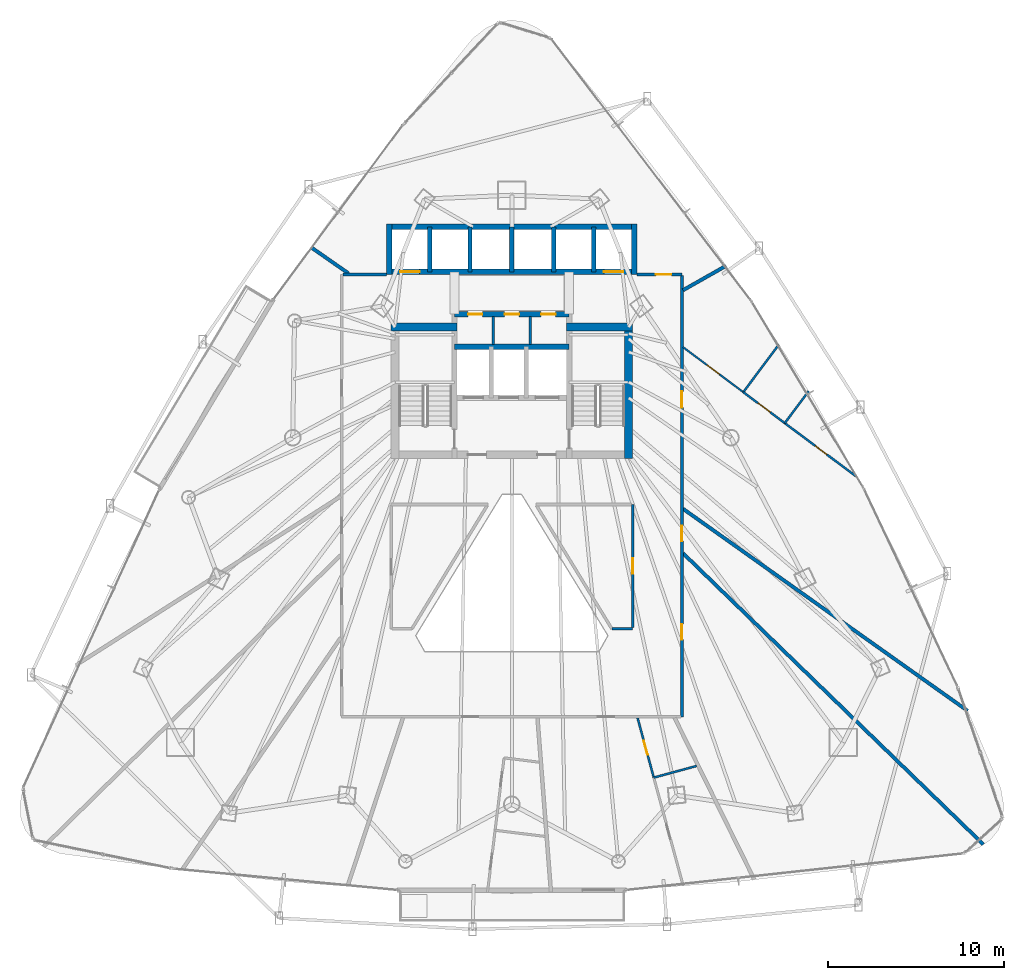
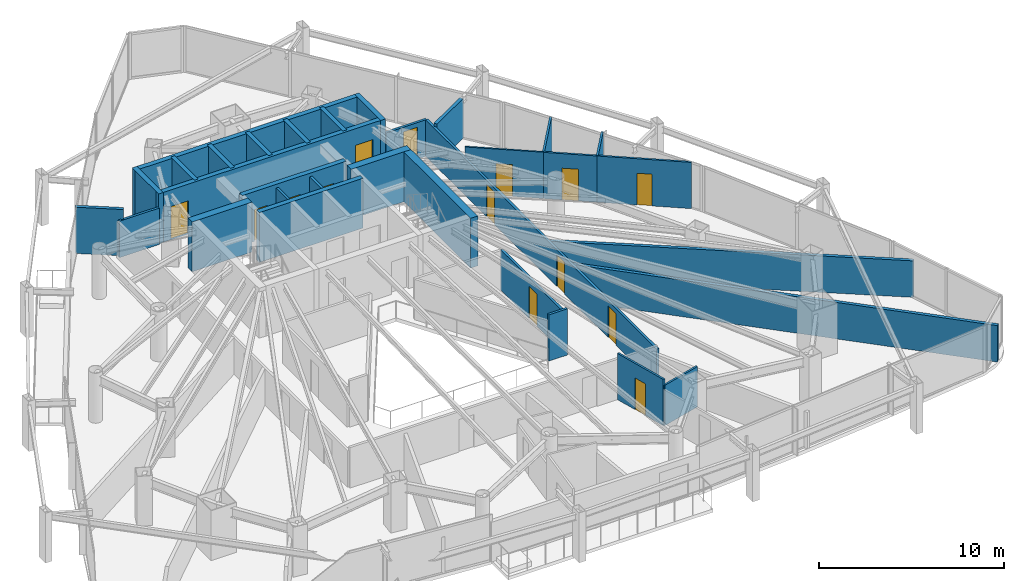
# One storey, part 30 of 34: 32 walls, 14 doors, 14 openings.
"""IFC4 building model written with IfcOpenShell, lengths in metres."""

from ifc_helpers import new_model, si_unit, direction, frame, frame_2d, origin, place, context, subcontext, project, spatial, rectangle, extrude, material, layer, layer_set, type_object, element, fill, save


model = new_model("IFC4")

# Units and contexts
model_context = context("Model", 3, precision=1e-05, world=origin(), true_north=direction((0.0, 1.0)))
body_context = subcontext(model_context, "Body", "Model", "MODEL_VIEW")
ifc_project = project(units=[si_unit("LENGTHUNIT", "METRE"), si_unit("AREAUNIT", "SQUARE_METRE"), si_unit("VOLUMEUNIT", "CUBIC_METRE"), si_unit("PLANEANGLEUNIT", "RADIAN"), si_unit("MASSUNIT", "GRAM", prefix="KILO")], contexts=[model_context])

# Site, building, storey
site_placement = place(None, origin())
site = spatial("IfcSite", under=ifc_project, at=site_placement, CompositionType="ELEMENT")
building_placement = place(site_placement, origin())
building = spatial("IfcBuilding", under=site, at=building_placement, Name="Orvanel Arch Residences", CompositionType="ELEMENT")
storey_placement = place(building_placement, frame((0.0, 0.0, 67.550048828125)))
storey = spatial("IfcBuildingStorey", under=building, at=storey_placement, Name="L18", CompositionType="ELEMENT", Elevation=67.550048828125)

# Walls
ifc_material_1 = material(Name="Concrete N50 (50 MPa)", Category="concrete")
ifc_layer_1 = layer(ifc_material_1, 0.25)
ifc_layer_set_1 = layer_set([ifc_layer_1], Name="Concrete N50 (50 MPa)")
wall_type_1 = type_object("IfcWallType", Name="SW-CORE-250", PredefinedType="SHEAR", material=ifc_layer_set_1)
for number, where, z_axis, x_axis, name in (
    (1, (28.35009765625, 37.050048828125, 0.0), (0.0, 0.0, 1.0), (0.0, 1.0, 0.0), "L18 Passenger Lift Inter-Shaft Wall P13"),
    (2, (30.625, 37.050048828125, 0.0), (0.0, 0.0, 1.0), (0.0, 1.0, 0.0), "L18 Passenger Lift Inter-Shaft Wall P35"),
    (3, (33.0, 37.050048828125, 0.0), (0.0, 0.0, 1.0), (0.0, 1.0, 0.0), "L18 Passenger Lift Inter-Shaft Wall P56"),
    (4, (35.375, 37.050048828125, 0.0), (0.0, 0.0, 1.0), (0.0, 1.0, 0.0), "L18 Passenger Lift Inter-Shaft Wall P64"),
    (5, (37.64990234375, 37.050048828125, 0.0), (0.0, 0.0, 1.0), (0.0, 1.0, 0.0), "L18 Passenger Lift Inter-Shaft Wall P42"),
):
    element("IfcWall", number, at=place(storey_placement, frame(where, z_axis=z_axis, x_axis=x_axis)), inside=storey, type_object=wall_type_1, Name=name, PredefinedType="SHEAR", context=body_context, shape_type="SweptSolid", body=[
        extrude(rectangle(XDim=2.550048828125, YDim=0.25, at=frame_2d((1.27490234375, 0.0))), origin(), (0.0, 0.0, 1.0), 3.300048828125),
    ])
ifc_material_2 = material(Name="Concrete S80 (80 MPa)", Category="concrete")
ifc_layer_2 = layer(ifc_material_2, 0.300048828125)
ifc_layer_set_2 = layer_set([ifc_layer_2], Name="Concrete S80 (80 MPa)")
wall_type_2 = type_object("IfcWallType", Name="SW-CORE-300", PredefinedType="SHEAR", material=ifc_layer_set_2)
wall_1_placement = place(storey_placement, frame((29.75, 32.800048828125, 0.0), z_axis=(0.0, 0.0, 1.0), x_axis=(1.0, 0.0, 0.0)))
element("IfcWall", 6, at=wall_1_placement, inside=storey, type_object=wall_type_2, Name="L18 Emergency Lift Back Core Shear Wall", PredefinedType="SHEAR", context=body_context, shape_type="SweptSolid", body=[
    extrude(rectangle(XDim=6.5, YDim=0.300048828125, at=frame_2d((3.25, 0.0))), origin(), (0.0, 0.0, 1.0), 3.300048828125),
])

# Wall, openings, doors
wall_2_placement = place(storey_placement, frame((29.75, 34.64990234375, 0.0), z_axis=(0.0, 0.0, 1.0), x_axis=(1.0, 0.0, 0.0)))
wall_2 = element("IfcWall", 7, at=wall_2_placement, inside=storey, type_object=wall_type_2, Name="L18 Core Service Band North Shear Wall", PredefinedType="SHEAR", context=body_context, shape_type="SweptSolid", body=[
    extrude(rectangle(XDim=6.5, YDim=0.300048828125, at=frame_2d((3.25, 0.0))), origin(), (0.0, 0.0, 1.0), 3.300048828125),
])
opening_1_placement = place(wall_2_placement, frame((0.764892578125, 0.0, 0.0)))
opening_1 = element("IfcOpeningElement", 8, at=opening_1_placement, cuts=wall_2, Name="Opening DS-082", PredefinedType="OPENING", context=body_context, shape_type="SweptSolid", body=[
    extrude(rectangle(XDim=0.820068359375, YDim=2.10009765625, at=frame_2d((0.41015625, 1.050048828125))), frame((0.0, 0.159912109375, 0.0), z_axis=(0.0, -1.0, 0.0), x_axis=(1.0, 0.0, 0.0)), (0.0, 0.0, 1.0), 0.320068359375),
])
opening_2_placement = place(wall_2_placement, frame((2.840087890625, 0.0, 0.0)))
opening_2 = element("IfcOpeningElement", 9, at=opening_2_placement, cuts=wall_2, Name="Opening DS-082", PredefinedType="OPENING", context=body_context, shape_type="SweptSolid", body=[
    extrude(rectangle(XDim=0.820068359375, YDim=2.10009765625, at=frame_2d((0.41015625, 1.050048828125))), frame((0.0, 0.159912109375, 0.0), z_axis=(0.0, -1.0, 0.0), x_axis=(1.0, 0.0, 0.0)), (0.0, 0.0, 1.0), 0.320068359375),
])
opening_3_placement = place(wall_2_placement, frame((4.9150390625, 0.0, 0.0)))
opening_3 = element("IfcOpeningElement", 10, at=opening_3_placement, cuts=wall_2, Name="Opening DS-082", PredefinedType="OPENING", context=body_context, shape_type="SweptSolid", body=[
    extrude(rectangle(XDim=0.820068359375, YDim=2.10009765625, at=frame_2d((0.41015625, 1.050048828125))), frame((0.0, 0.159912109375, 0.0), z_axis=(0.0, -1.0, 0.0), x_axis=(1.0, 0.0, 0.0)), (0.0, 0.0, 1.0), 0.320068359375),
])
ifc_material_3 = material(Name="Galvanised steel fire-resisting door assembly", Category="steel")
door_type_1 = type_object("IfcDoorType", Name="DR-SVC-820", OperationType="NOTDEFINED", PredefinedType="DOOR", material=ifc_material_3)
door_1_placement = place(opening_1_placement, origin())
door_1 = element("IfcDoor", 11, at=door_1_placement, inside=storey, type_object=door_type_1, Name="DR-L18-CSVC-1 L18 Housekeeping Store Door", OperationType="SINGLE_SWING_LEFT", OverallHeight=2.10009765625, OverallWidth=0.820068359375, PredefinedType="DOOR", context=body_context, shape_type="SweptSolid", body=[
    extrude(rectangle(XDim=0.820068359375, YDim=2.10009765625, at=frame_2d((0.41015625, 1.050048828125))), frame((0.0, 0.02490234375, 0.0), z_axis=(0.0, -1.0, 0.0), x_axis=(1.0, 0.0, 0.0)), (0.0, 0.0, 1.0), 0.050048828125),
])
fill(opening_1, door_1)
door_2_placement = place(opening_2_placement, origin())
door_2 = element("IfcDoor", 12, at=door_2_placement, inside=storey, type_object=door_type_1, Name="DR-L18-CSVC-2 L18 Cleaner's Store Door", OperationType="SINGLE_SWING_LEFT", OverallHeight=2.10009765625, OverallWidth=0.820068359375, PredefinedType="DOOR", context=body_context, shape_type="SweptSolid", body=[
    extrude(rectangle(XDim=0.820068359375, YDim=2.10009765625, at=frame_2d((0.41015625, 1.050048828125))), frame((0.0, 0.02490234375, 0.0), z_axis=(0.0, -1.0, 0.0), x_axis=(1.0, 0.0, 0.0)), (0.0, 0.0, 1.0), 0.050048828125),
])
fill(opening_2, door_2)
door_3_placement = place(opening_3_placement, origin())
door_3 = element("IfcDoor", 13, at=door_3_placement, inside=storey, type_object=door_type_1, Name="DR-L18-CSVC-3 L18 Comms Riser Store Door", OperationType="SINGLE_SWING_LEFT", OverallHeight=2.10009765625, OverallWidth=0.820068359375, PredefinedType="DOOR", context=body_context, shape_type="SweptSolid", body=[
    extrude(rectangle(XDim=0.820068359375, YDim=2.10009765625, at=frame_2d((0.41015625, 1.050048828125))), frame((0.0, 0.02490234375, 0.0), z_axis=(0.0, -1.0, 0.0), x_axis=(1.0, 0.0, 0.0)), (0.0, 0.0, 1.0), 0.050048828125),
])
fill(opening_3, door_3)

wall_3_placement = place(storey_placement, frame((40.10009765625, 37.050048828125, 0.0), z_axis=(0.0, 0.0, 1.0), x_axis=(-1.0, 0.0, 0.0)))
wall_3 = element("IfcWall", 14, at=wall_3_placement, inside=storey, type_object=wall_type_2, Name="L18 Passenger Lift Bank Front Shear Wall", PredefinedType="SHEAR", context=body_context, shape_type="SweptSolid", body=[
    extrude(rectangle(XDim=14.2001953125, YDim=0.300048828125, at=frame_2d((7.10009765625, 0.0))), origin(), (0.0, 0.0, 1.0), 3.300048828125),
])
opening_4_placement = place(wall_3_placement, frame((12.324951171875, 0.0, 0.0)))
opening_4 = element("IfcOpeningElement", 15, at=opening_4_placement, cuts=wall_3, Name="Opening LD-110", PredefinedType="OPENING", context=body_context, shape_type="SweptSolid", body=[
    extrude(rectangle(XDim=1.10009765625, YDim=2.199951171875, at=frame_2d((0.550048828125, 1.10009765625))), frame((0.0, 0.159912109375, 0.0), z_axis=(0.0, -1.0, 0.0), x_axis=(1.0, 0.0, 0.0)), (0.0, 0.0, 1.0), 0.320068359375),
])
opening_5_placement = place(wall_3_placement, frame((0.77490234375, 0.0, 0.0)))
opening_5 = element("IfcOpeningElement", 16, at=opening_5_placement, cuts=wall_3, Name="Opening LD-110", PredefinedType="OPENING", context=body_context, shape_type="SweptSolid", body=[
    extrude(rectangle(XDim=1.10009765625, YDim=2.199951171875, at=frame_2d((0.550048828125, 1.10009765625))), frame((0.0, 0.159912109375, 0.0), z_axis=(0.0, -1.0, 0.0), x_axis=(1.0, 0.0, 0.0)), (0.0, 0.0, 1.0), 0.320068359375),
])
door_type_2 = type_object("IfcDoorType", Name="DR-LFT-1100", OperationType="NOTDEFINED", PredefinedType="DOOR", material=ifc_material_3)
door_4_placement = place(opening_4_placement, origin())
door_4 = element("IfcDoor", 17, at=door_4_placement, inside=storey, type_object=door_type_2, Name="LD-P1-L18 L18 Passenger Lift P1 Sliding Landing Door", OperationType="DOUBLE_DOOR_SLIDING", OverallHeight=2.199951171875, OverallWidth=1.10009765625, PredefinedType="DOOR", context=body_context, shape_type="SweptSolid", body=[
    extrude(rectangle(XDim=1.10009765625, YDim=2.199951171875, at=frame_2d((0.550048828125, 1.10009765625))), frame((0.0, 0.02490234375, 0.0), z_axis=(0.0, -1.0, 0.0), x_axis=(1.0, 0.0, 0.0)), (0.0, 0.0, 1.0), 0.050048828125),
])
fill(opening_4, door_4)
door_5_placement = place(opening_5_placement, origin())
door_5 = element("IfcDoor", 18, at=door_5_placement, inside=storey, type_object=door_type_2, Name="LD-P2-L18 L18 Passenger Lift P2 Sliding Landing Door", OperationType="DOUBLE_DOOR_SLIDING", OverallHeight=2.199951171875, OverallWidth=1.10009765625, PredefinedType="DOOR", context=body_context, shape_type="SweptSolid", body=[
    extrude(rectangle(XDim=1.10009765625, YDim=2.199951171875, at=frame_2d((0.550048828125, 1.10009765625))), frame((0.0, 0.02490234375, 0.0), z_axis=(0.0, -1.0, 0.0), x_axis=(1.0, 0.0, 0.0)), (0.0, 0.0, 1.0), 0.050048828125),
])
fill(opening_5, door_5)

# Walls
wall_4_placement = place(storey_placement, frame((25.89990234375, 39.60009765625, 0.0), z_axis=(0.0, 0.0, 1.0), x_axis=(1.0, 0.0, 0.0)))
element("IfcWall", 19, at=wall_4_placement, inside=storey, type_object=wall_type_2, Name="L18 Passenger Lift Bank North Shear Wall", PredefinedType="SHEAR", context=body_context, shape_type="SweptSolid", body=[
    extrude(rectangle(XDim=14.2001953125, YDim=0.300048828125, at=frame_2d((7.10009765625, 0.0))), origin(), (0.0, 0.0, 1.0), 3.300048828125),
])
for number, where, z_axis, x_axis, name in (
    (20, (26.050048828125, 36.89990234375, 0.0), (0.0, 0.0, 1.0), (0.0, 1.0, 0.0), "L18 Passenger Lift Bank West Shear Wall"),
    (21, (39.949951171875, 36.89990234375, 0.0), (0.0, 0.0, 1.0), (0.0, 1.0, 0.0), "L18 Passenger Lift Bank East Shear Wall"),
):
    element("IfcWall", number, at=place(storey_placement, frame(where, z_axis=z_axis, x_axis=x_axis)), inside=storey, type_object=wall_type_2, Name=name, PredefinedType="SHEAR", context=body_context, shape_type="SweptSolid", body=[
        extrude(rectangle(XDim=2.85009765625, YDim=0.300048828125, at=frame_2d((1.425048828125, 0.0))), origin(), (0.0, 0.0, 1.0), 3.300048828125),
    ])
ifc_layer_3 = layer(ifc_material_2, 0.449951171875)
ifc_layer_set_3 = layer_set([ifc_layer_3], Name="Concrete S80 (80 MPa)")
wall_type_3 = type_object("IfcWallType", Name="SW-CORE-450", PredefinedType="SHEAR", material=ifc_layer_set_3)
wall_5_placement = place(storey_placement, frame((26.14990234375, 33.925048828125, 0.0), z_axis=(0.0, 0.0, 1.0), x_axis=(1.0, 0.0, 0.0)))
element("IfcWall", 22, at=wall_5_placement, inside=storey, type_object=wall_type_3, Name="L18 West Stair North Shear Wall", PredefinedType="SHEAR", context=body_context, shape_type="SweptSolid", body=[
    extrude(rectangle(XDim=3.75, YDim=0.449951171875, at=frame_2d((1.875, 0.0))), origin(), (0.0, 0.0, 1.0), 3.300048828125),
])
wall_6_placement = place(storey_placement, frame((39.625, 26.449951171875, 0.0), z_axis=(0.0, 0.0, 1.0), x_axis=(0.0, 1.0, 0.0)))
element("IfcWall", 23, at=wall_6_placement, inside=storey, type_object=wall_type_3, Name="L18 East Stair Shear Wall", PredefinedType="SHEAR", context=body_context, shape_type="SweptSolid", body=[
    extrude(rectangle(XDim=7.699951171875, YDim=0.449951171875, at=frame_2d((3.85009765625, 0.0))), origin(), (0.0, 0.0, 1.0), 3.300048828125),
])
wall_7_placement = place(storey_placement, frame((36.10009765625, 33.925048828125, 0.0), z_axis=(0.0, 0.0, 1.0), x_axis=(1.0, 0.0, 0.0)))
element("IfcWall", 24, at=wall_7_placement, inside=storey, type_object=wall_type_3, Name="L18 East Stair North Shear Wall", PredefinedType="SHEAR", context=body_context, shape_type="SweptSolid", body=[
    extrude(rectangle(XDim=3.75, YDim=0.449951171875, at=frame_2d((1.875, 0.0))), origin(), (0.0, 0.0, 1.0), 3.300048828125),
])

# Wall, opening, door
ifc_material_4 = material(Name="Fire-rated plasterboard lined steel stud partition", Category="steel")
ifc_layer_4 = layer(ifc_material_4, 0.14990234375)
ifc_layer_set_4 = layer_set([ifc_layer_4], Name="Fire-rated plasterboard lined steel stud partition")
wall_type_4 = type_object("IfcWallType", Name="W-COR-150", PredefinedType="PARTITIONING", material=ifc_layer_set_4)
wall_8_placement = place(storey_placement, frame((40.10009765625, 36.89990234375, 0.0), z_axis=(0.0, 0.0, 1.0), x_axis=(1.0, 0.0, 0.0)))
wall_8 = element("IfcWall", 25, at=wall_8_placement, inside=storey, type_object=wall_type_4, Name="L18 Corridor Fire-Rated Partition", PredefinedType="PARTITIONING", context=body_context, shape_type="SweptSolid", body=[
    extrude(rectangle(XDim=2.5498046875, YDim=0.14990234375, at=frame_2d((1.27490234375, 0.0))), origin(), (0.0, 0.0, 1.0), 2.412841796875),
])
opening_6_placement = place(wall_8_placement, frame((1.069091796875, 0.0, 0.0)))
opening_6 = element("IfcOpeningElement", 26, at=opening_6_placement, cuts=wall_8, Name="Opening DI-088", PredefinedType="OPENING", context=body_context, shape_type="SweptSolid", body=[
    extrude(rectangle(XDim=0.8798828125, YDim=2.10009765625, at=frame_2d((0.43994140625, 1.050048828125))), frame((0.0, 0.0849609375, 0.0), z_axis=(0.0, -1.0, 0.0), x_axis=(1.0, 0.0, 0.0)), (0.0, 0.0, 1.0), 0.169921875),
])
ifc_material_5 = material(Name="Solid-core European oak veneer fire door leaf", Category="wood")
door_type_3 = type_object("IfcDoorType", Name="DR-INT-880", OperationType="NOTDEFINED", PredefinedType="DOOR", material=ifc_material_5)
door_6_placement = place(opening_6_placement, origin())
door_6 = element("IfcDoor", 27, at=door_6_placement, inside=storey, type_object=door_type_3, Name="DR-L18-SHRD-FB1 L18 Co-Working Study Office A Door", OperationType="SINGLE_SWING_LEFT", OverallHeight=2.10009765625, OverallWidth=0.8798828125, PredefinedType="DOOR", context=body_context, shape_type="SweptSolid", body=[
    extrude(rectangle(XDim=0.8798828125, YDim=2.10009765625, at=frame_2d((0.43994140625, 1.050048828125))), frame((0.0, 0.02490234375, 0.0), z_axis=(0.0, -1.0, 0.0), x_axis=(1.0, 0.0, 0.0)), (0.0, 0.0, 1.0), 0.050048828125),
])
fill(opening_6, door_6)

# Wall, openings, doors
wall_9_placement = place(storey_placement, frame((42.64990234375, 36.840087890625, 0.0), z_axis=(0.0, 0.0, 1.0), x_axis=(0.0, -1.0, 0.0)))
wall_9 = element("IfcWall", 28, at=wall_9_placement, inside=storey, type_object=wall_type_4, Name="L18 Corridor Fire-Rated Partition", PredefinedType="PARTITIONING", context=body_context, shape_type="SweptSolid", body=[
    extrude(rectangle(XDim=25.0400390625, YDim=0.14990234375, at=frame_2d((12.52001953125, 0.0))), origin(), (0.0, 0.0, 1.0), 2.412841796875),
])
opening_7_placement = place(wall_9_placement, frame((6.576904296875, 0.0, 0.0)))
opening_7 = element("IfcOpeningElement", 29, at=opening_7_placement, cuts=wall_9, Name="Opening DA-092", PredefinedType="OPENING", context=body_context, shape_type="SweptSolid", body=[
    extrude(rectangle(XDim=0.919921875, YDim=2.14990234375, at=frame_2d((0.4599609375, 1.074951171875))), frame((0.0, 0.0849609375, 0.0), z_axis=(0.0, -1.0, 0.0), x_axis=(1.0, 0.0, 0.0)), (0.0, 0.0, 1.0), 0.169921875),
])
opening_8_placement = place(wall_9_placement, frame((19.777099609375, 0.0, 0.0)))
opening_8 = element("IfcOpeningElement", 30, at=opening_8_placement, cuts=wall_9, Name="Opening DI-088", PredefinedType="OPENING", context=body_context, shape_type="SweptSolid", body=[
    extrude(rectangle(XDim=0.8798828125, YDim=2.10009765625, at=frame_2d((0.43994140625, 1.050048828125))), frame((0.0, 0.0849609375, 0.0), z_axis=(0.0, -1.0, 0.0), x_axis=(1.0, 0.0, 0.0)), (0.0, 0.0, 1.0), 0.169921875),
])
opening_9_placement = place(wall_9_placement, frame((14.193115234375, 0.0, 0.0)))
opening_9 = element("IfcOpeningElement", 31, at=opening_9_placement, cuts=wall_9, Name="Opening DI-088", PredefinedType="OPENING", context=body_context, shape_type="SweptSolid", body=[
    extrude(rectangle(XDim=0.8798828125, YDim=2.10009765625, at=frame_2d((0.43994140625, 1.050048828125))), frame((0.0, 0.0849609375, 0.0), z_axis=(0.0, -1.0, 0.0), x_axis=(1.0, 0.0, 0.0)), (0.0, 0.0, 1.0), 0.169921875),
])
door_type_4 = type_object("IfcDoorType", Name="DR-APT-920", OperationType="NOTDEFINED", PredefinedType="DOOR", material=ifc_material_5)
door_7_placement = place(opening_7_placement, origin())
door_7 = element("IfcDoor", 32, at=door_7_placement, inside=storey, type_object=door_type_4, Name="DR-L18-B-ENT L18 Flat B Entrance Door", OperationType="SINGLE_SWING_LEFT", OverallHeight=2.14990234375, OverallWidth=0.919921875, PredefinedType="DOOR", context=body_context, shape_type="SweptSolid", body=[
    extrude(rectangle(XDim=0.919921875, YDim=2.14990234375, at=frame_2d((0.4599609375, 1.074951171875))), frame((0.0, 0.02490234375, 0.0), z_axis=(0.0, -1.0, 0.0), x_axis=(1.0, 0.0, 0.0)), (0.0, 0.0, 1.0), 0.050048828125),
])
fill(opening_7, door_7)
door_8_placement = place(opening_8_placement, origin())
door_8 = element("IfcDoor", 33, at=door_8_placement, inside=storey, type_object=door_type_3, Name="DR-L18-SHRD-FB3 L18 Co-Working Study Office C Door", OperationType="SINGLE_SWING_LEFT", OverallHeight=2.10009765625, OverallWidth=0.8798828125, PredefinedType="DOOR", context=body_context, shape_type="SweptSolid", body=[
    extrude(rectangle(XDim=0.8798828125, YDim=2.10009765625, at=frame_2d((0.43994140625, 1.050048828125))), frame((0.0, 0.02490234375, 0.0), z_axis=(0.0, -1.0, 0.0), x_axis=(1.0, 0.0, 0.0)), (0.0, 0.0, 1.0), 0.050048828125),
])
fill(opening_8, door_8)
door_9_placement = place(opening_9_placement, origin())
door_9 = element("IfcDoor", 34, at=door_9_placement, inside=storey, type_object=door_type_3, Name="DR-L18-SHRD-FB9 L18 Co-Working Study Office I Door", OperationType="SINGLE_SWING_LEFT", OverallHeight=2.10009765625, OverallWidth=0.8798828125, PredefinedType="DOOR", context=body_context, shape_type="SweptSolid", body=[
    extrude(rectangle(XDim=0.8798828125, YDim=2.10009765625, at=frame_2d((0.43994140625, 1.050048828125))), frame((0.0, 0.02490234375, 0.0), z_axis=(0.0, -1.0, 0.0), x_axis=(1.0, 0.0, 0.0)), (0.0, 0.0, 1.0), 0.050048828125),
])
fill(opening_9, door_9)

# Walls
wall_10_placement = place(storey_placement, frame((23.409912109375, 36.89990234375, 0.0), z_axis=(0.0, 0.0, 1.0), x_axis=(1.0, 0.0, 0.0)))
element("IfcWall", 35, at=wall_10_placement, inside=storey, type_object=wall_type_4, Name="L18 Corridor Fire-Rated Partition", PredefinedType="PARTITIONING", context=body_context, shape_type="SweptSolid", body=[
    extrude(rectangle(XDim=2.489990234375, YDim=0.14990234375, at=frame_2d((1.2451171875, 0.0))), origin(), (0.0, 0.0, 1.0), 2.412841796875),
])
wall_11_placement = place(storey_placement, frame((38.673095703125, 16.800048828125, 0.0), z_axis=(0.0, 0.0, 1.0), x_axis=(1.0, 0.0, 0.0)))
element("IfcWall", 36, at=wall_11_placement, inside=storey, type_object=wall_type_4, Name="L18 Corridor Fire-Rated Partition", PredefinedType="PARTITIONING", context=body_context, shape_type="SweptSolid", body=[
    extrude(rectangle(XDim=1.177001953125, YDim=0.14990234375, at=frame_2d((0.58837890625, 0.0))), origin(), (0.0, 0.0, 1.0), 3.06005859375),
])

# Wall, opening, door
wall_12_placement = place(storey_placement, frame((39.85009765625, 16.860107421875, 0.0), z_axis=(0.0, 0.0, 1.0), x_axis=(0.0, 1.0, 0.0)))
wall_12 = element("IfcWall", 37, at=wall_12_placement, inside=storey, type_object=wall_type_4, Name="L18 Corridor Fire-Rated Partition", PredefinedType="PARTITIONING", context=body_context, shape_type="SweptSolid", body=[
    extrude(rectangle(XDim=6.989990234375, YDim=0.14990234375, at=frame_2d((3.4951171875, 0.0))), origin(), (0.0, 0.0, 1.0), 2.6689453125),
])
opening_10_placement = place(wall_12_placement, frame((3.054931640625, 0.0, 0.0)))
opening_10 = element("IfcOpeningElement", 38, at=opening_10_placement, cuts=wall_12, Name="Opening DI-088", PredefinedType="OPENING", context=body_context, shape_type="SweptSolid", body=[
    extrude(rectangle(XDim=0.8798828125, YDim=2.10009765625, at=frame_2d((0.43994140625, 1.050048828125))), frame((0.0, 0.0849609375, 0.0), z_axis=(0.0, -1.0, 0.0), x_axis=(1.0, 0.0, 0.0)), (0.0, 0.0, 1.0), 0.169921875),
])
door_10_placement = place(opening_10_placement, origin())
door_10 = element("IfcDoor", 39, at=door_10_placement, inside=storey, type_object=door_type_3, Name="DR-L18-SHRD-FB11 L18 Co-Working Study Office K Door", OperationType="SINGLE_SWING_LEFT", OverallHeight=2.10009765625, OverallWidth=0.8798828125, PredefinedType="DOOR", context=body_context, shape_type="SweptSolid", body=[
    extrude(rectangle(XDim=0.8798828125, YDim=2.10009765625, at=frame_2d((0.43994140625, 1.050048828125))), frame((0.0, 0.02490234375, 0.0), z_axis=(0.0, -1.0, 0.0), x_axis=(1.0, 0.0, 0.0)), (0.0, 0.0, 1.0), 0.050048828125),
])
fill(opening_10, door_10)

# Walls
ifc_layer_5 = layer(ifc_material_4, 0.199951171875)
ifc_layer_set_5 = layer_set([ifc_layer_5], Name="Fire-rated plasterboard lined steel stud partition")
wall_type_5 = type_object("IfcWallType", Name="W-DEM-200", PredefinedType="PARTITIONING", material=ifc_layer_set_5)
wall_13_placement = place(storey_placement, frame((45.152099609375, 37.39111328125, 0.0), z_axis=(0.0, 0.0, 1.0), x_axis=(-0.86984931175, -0.4933175193, 0.0)))
element("IfcWall", 40, at=wall_13_placement, inside=storey, type_object=wall_type_5, Name="L18 Inter-Tenancy Acoustic Demising Wall", PredefinedType="PARTITIONING", context=body_context, shape_type="SweptSolid", body=[
    extrude(rectangle(XDim=2.8076171875, YDim=0.199951171875, at=frame_2d((1.40380859375, 0.0))), origin(), (0.0, 0.0, 1.0), 2.618896484375),
])
wall_14_placement = place(storey_placement, frame((23.736083984375, 36.9599609375, 0.0), z_axis=(0.0, 0.0, 1.0), x_axis=(-0.820275422115, 0.571968733302, 0.0)))
element("IfcWall", 41, at=wall_14_placement, inside=storey, type_object=wall_type_5, Name="L18 Inter-Tenancy Acoustic Demising Wall", PredefinedType="PARTITIONING", context=body_context, shape_type="SweptSolid", body=[
    extrude(rectangle(XDim=2.6015625, YDim=0.199951171875, at=frame_2d((1.30078125, 0.0))), origin(), (0.0, 0.0, 1.0), 3.06005859375),
])
wall_15_placement = place(storey_placement, frame((58.865966796875, 12.14111328125, 0.0), z_axis=(0.0, 0.0, 1.0), x_axis=(-0.815477500133, 0.578788775614, 0.0)))
element("IfcWall", 42, at=wall_15_placement, inside=storey, type_object=wall_type_5, Name="L18 Inter-Tenancy Acoustic Demising Wall", PredefinedType="PARTITIONING", context=body_context, shape_type="SweptSolid", body=[
    extrude(rectangle(XDim=19.811767578125, YDim=0.199951171875, at=frame_2d((9.90576171875, 0.0))), origin(), (0.0, 0.0, 1.0), 2.412841796875),
])
wall_16_placement = place(storey_placement, frame((42.7099609375, 21.0869140625, 0.0), z_axis=(0.0, 0.0, 1.0), x_axis=(0.717996025824, -0.696047201633, 0.0)))
element("IfcWall", 43, at=wall_16_placement, inside=storey, type_object=wall_type_5, Name="L18 Inter-Tenancy Acoustic Demising Wall", PredefinedType="PARTITIONING", context=body_context, shape_type="SweptSolid", body=[
    extrude(rectangle(XDim=23.73681640625, YDim=0.199951171875, at=frame_2d((11.868408203125, 0.0))), origin(), (0.0, 0.0, 1.0), 2.412841796875),
])

# Wall, opening, door
ifc_material_6 = material(Name="Acoustic plasterboard lined twin-stud partition", Category="gypsum")
ifc_layer_6 = layer(ifc_material_6, 0.10009765625)
ifc_layer_set_6 = layer_set([ifc_layer_6], Name="Acoustic plasterboard lined twin-stud partition")
wall_type_6 = type_object("IfcWallType", Name="W-INT-100", PredefinedType="PARTITIONING", material=ifc_layer_set_6)
wall_17_placement = place(storey_placement, frame((42.7099609375, 32.779052734375, 0.0), z_axis=(0.0, 0.0, 1.0), x_axis=(0.801226493917, -0.598361183104, 0.0)))
wall_17 = element("IfcWall", 44, at=wall_17_placement, inside=storey, type_object=wall_type_6, Name="L18 Flat B Internal Partition", PredefinedType="PARTITIONING", context=body_context, shape_type="SweptSolid", body=[
    extrude(rectangle(XDim=4.269775390625, YDim=0.10009765625, at=frame_2d((2.134765625, 0.0))), origin(), (0.0, 0.0, 1.0), 3.06005859375),
])
opening_11_placement = place(wall_17_placement, frame((1.695068359375, 0.0, 0.0)))
opening_11 = element("IfcOpeningElement", 45, at=opening_11_placement, cuts=wall_17, Name="Opening DI-088", PredefinedType="OPENING", context=body_context, shape_type="SweptSolid", body=[
    extrude(rectangle(XDim=0.8798828125, YDim=2.10009765625, at=frame_2d((0.43994140625, 1.050048828125))), frame((0.0, 0.06005859375, 0.0), z_axis=(0.0, -1.0, 0.0), x_axis=(1.0, 0.0, 0.0)), (0.0, 0.0, 1.0), 0.1201171875),
])
door_11_placement = place(opening_11_placement, origin())
door_11 = element("IfcDoor", 46, at=door_11_placement, inside=storey, type_object=door_type_3, Name="DR-L18-B-BED1 L18 Flat B Bedroom 1 Door", OperationType="SINGLE_SWING_LEFT", OverallHeight=2.10009765625, OverallWidth=0.8798828125, PredefinedType="DOOR", context=body_context, shape_type="SweptSolid", body=[
    extrude(rectangle(XDim=0.8798828125, YDim=2.10009765625, at=frame_2d((0.43994140625, 1.050048828125))), frame((0.0, 0.02490234375, 0.0), z_axis=(0.0, -1.0, 0.0), x_axis=(1.0, 0.0, 0.0)), (0.0, 0.0, 1.0), 0.050048828125),
])
fill(opening_11, door_11)

# Walls
ifc_layer_7 = layer(ifc_material_4, 0.14990234375)
ifc_layer_set_7 = layer_set([ifc_layer_7], Name="Fire-rated plasterboard lined steel stud partition")
wall_type_7 = type_object("IfcWallType", Name="W-ST-150", PredefinedType="PARTITIONING", material=ifc_layer_set_7)
for number, where, z_axis, x_axis, name in (
    (47, (31.949951171875, 32.93505859375, 0.0), (0.0, 0.0, 1.0), (0.0, 1.0, 0.0), "L18 Core Service Partition 1"),
    (48, (34.050048828125, 32.93505859375, 0.0), (0.0, 0.0, 1.0), (0.0, 1.0, 0.0), "L18 Core Service Partition 2"),
):
    element("IfcWall", number, at=place(storey_placement, frame(where, z_axis=z_axis, x_axis=x_axis)), inside=storey, type_object=wall_type_7, Name=name, PredefinedType="PARTITIONING", context=body_context, shape_type="SweptSolid", body=[
        extrude(rectangle(XDim=1.579833984375, YDim=0.14990234375, at=frame_2d((0.7900390625, 0.0))), origin(), (0.0, 0.0, 1.0), 3.06005859375),
    ])

# Wall, opening, door
ifc_layer_8 = layer(ifc_material_6, 0.1201171875)
ifc_layer_set_8 = layer_set([ifc_layer_8], Name="Acoustic plasterboard lined twin-stud partition")
wall_type_8 = type_object("IfcWallType", Name="W-WET-120", PredefinedType="PARTITIONING", material=ifc_layer_set_8)
wall_18_placement = place(storey_placement, frame((48.485107421875, 28.467041015625, 0.0), z_axis=(0.0, 0.0, 1.0), x_axis=(0.80130205943, -0.598259984917, 0.0)))
wall_18 = element("IfcWall", 49, at=wall_18_placement, inside=storey, type_object=wall_type_8, Name="L18 Flat B Bathroom Partition", PredefinedType="PARTITIONING", context=body_context, shape_type="SweptSolid", body=[
    extrude(rectangle(XDim=5.14501953125, YDim=0.1201171875, at=frame_2d((2.572509765625, 0.0))), origin(), (0.0, 0.0, 1.0), 3.06005859375),
])
opening_12_placement = place(wall_18_placement, frame((2.1630859375, 0.0, 0.0)))
opening_12 = element("IfcOpeningElement", 50, at=opening_12_placement, cuts=wall_18, Name="Opening DW-082", PredefinedType="OPENING", context=body_context, shape_type="SweptSolid", body=[
    extrude(rectangle(XDim=0.820068359375, YDim=2.10009765625, at=frame_2d((0.41015625, 1.050048828125))), frame((0.0, 0.070068359375, 0.0), z_axis=(0.0, -1.0, 0.0), x_axis=(1.0, 0.0, 0.0)), (0.0, 0.0, 1.0), 0.14013671875),
])
door_type_5 = type_object("IfcDoorType", Name="DR-WET-820", OperationType="NOTDEFINED", PredefinedType="DOOR", material=ifc_material_5)
door_12_placement = place(opening_12_placement, origin())
door_12 = element("IfcDoor", 51, at=door_12_placement, inside=storey, type_object=door_type_5, Name="DR-L18-B-BATH L18 Flat B Bathroom Door", OperationType="SINGLE_SWING_RIGHT", OverallHeight=2.10009765625, OverallWidth=0.820068359375, PredefinedType="DOOR", context=body_context, shape_type="SweptSolid", body=[
    extrude(rectangle(XDim=0.820068359375, YDim=2.10009765625, at=frame_2d((0.41015625, 1.050048828125))), frame((0.0, 0.02490234375, 0.0), z_axis=(0.0, -1.0, 0.0), x_axis=(1.0, 0.0, 0.0)), (0.0, 0.0, 1.0), 0.050048828125),
])
fill(opening_12, door_12)

wall_19_placement = place(storey_placement, frame((46.131103515625, 30.22412109375, 0.0), z_axis=(0.0, 0.0, 1.0), x_axis=(0.801374244223, -0.598163289325, 0.0)))
wall_19 = element("IfcWall", 52, at=wall_19_placement, inside=storey, type_object=wall_type_8, Name="L18 Flat B Internal Partition", PredefinedType="PARTITIONING", context=body_context, shape_type="SweptSolid", body=[
    extrude(rectangle(XDim=2.9375, YDim=0.1201171875, at=frame_2d((1.46875, 0.0))), origin(), (0.0, 0.0, 1.0), 3.06005859375),
])
opening_13_placement = place(wall_19_placement, frame((1.029052734375, 0.0, 0.0)))
opening_13 = element("IfcOpeningElement", 53, at=opening_13_placement, cuts=wall_19, Name="Opening DI-088", PredefinedType="OPENING", context=body_context, shape_type="SweptSolid", body=[
    extrude(rectangle(XDim=0.8798828125, YDim=2.10009765625, at=frame_2d((0.43994140625, 1.050048828125))), frame((0.0, 0.070068359375, 0.0), z_axis=(0.0, -1.0, 0.0), x_axis=(1.0, 0.0, 0.0)), (0.0, 0.0, 1.0), 0.14013671875),
])
door_13_placement = place(opening_13_placement, origin())
door_13 = element("IfcDoor", 54, at=door_13_placement, inside=storey, type_object=door_type_3, Name="DR-L18-B-KIT L18 Flat B Kitchen Door", OperationType="SINGLE_SWING_LEFT", OverallHeight=2.10009765625, OverallWidth=0.8798828125, PredefinedType="DOOR", context=body_context, shape_type="SweptSolid", body=[
    extrude(rectangle(XDim=0.8798828125, YDim=2.10009765625, at=frame_2d((0.43994140625, 1.050048828125))), frame((0.0, 0.02490234375, 0.0), z_axis=(0.0, -1.0, 0.0), x_axis=(1.0, 0.0, 0.0)), (0.0, 0.0, 1.0), 0.050048828125),
])
fill(opening_13, door_13)

# Walls
wall_20_placement = place(storey_placement, frame((48.485107421875, 28.467041015625, 0.0), z_axis=(0.0, 0.0, 1.0), x_axis=(0.59837605097, 0.801215390282, 0.0)))
element("IfcWall", 55, at=wall_20_placement, inside=storey, type_object=wall_type_8, Name="L18 Flat B Bathroom Partition", PredefinedType="PARTITIONING", context=body_context, shape_type="SweptSolid", body=[
    extrude(rectangle(XDim=2.2626953125, YDim=0.1201171875, at=frame_2d((1.13134765625, 0.0))), origin(), (0.0, 0.0, 1.0), 3.06005859375),
])
wall_21_placement = place(storey_placement, frame((46.131103515625, 30.22412109375, 0.0), z_axis=(0.0, 0.0, 1.0), x_axis=(0.598226648312, 0.801326947787, 0.0)))
element("IfcWall", 56, at=wall_21_placement, inside=storey, type_object=wall_type_8, Name="L18 Flat B Internal Partition", PredefinedType="PARTITIONING", context=body_context, shape_type="SweptSolid", body=[
    extrude(rectangle(XDim=3.373046875, YDim=0.1201171875, at=frame_2d((1.6865234375, 0.0))), origin(), (0.0, 0.0, 1.0), 3.06005859375),
])

# Wall, opening, door
wall_22_placement = place(storey_placement, frame((40.134033203125, 11.739990234375, 0.0), z_axis=(0.0, 0.0, 1.0), x_axis=(0.262203658207, -0.965012560345, 0.0)))
wall_22 = element("IfcWall", 57, at=wall_22_placement, inside=storey, type_object=wall_type_8, Name="L18 Studio H Bathroom Partition", PredefinedType="PARTITIONING", context=body_context, shape_type="SweptSolid", body=[
    extrude(rectangle(XDim=3.504638671875, YDim=0.1201171875, at=frame_2d((1.75244140625, 0.0))), origin(), (0.0, 0.0, 1.0), 3.06005859375),
])
opening_14_placement = place(wall_22_placement, frame((1.342041015625, 0.0, 0.0)))
opening_14 = element("IfcOpeningElement", 58, at=opening_14_placement, cuts=wall_22, Name="Opening DW-082", PredefinedType="OPENING", context=body_context, shape_type="SweptSolid", body=[
    extrude(rectangle(XDim=0.820068359375, YDim=2.10009765625, at=frame_2d((0.41015625, 1.050048828125))), frame((0.0, 0.070068359375, 0.0), z_axis=(0.0, -1.0, 0.0), x_axis=(1.0, 0.0, 0.0)), (0.0, 0.0, 1.0), 0.14013671875),
])
door_14_placement = place(opening_14_placement, origin())
door_14 = element("IfcDoor", 59, at=door_14_placement, inside=storey, type_object=door_type_5, Name="DR-L18-H-BATH L18 Studio H Bathroom Door", OperationType="SINGLE_SWING_RIGHT", OverallHeight=2.10009765625, OverallWidth=0.820068359375, PredefinedType="DOOR", context=body_context, shape_type="SweptSolid", body=[
    extrude(rectangle(XDim=0.820068359375, YDim=2.10009765625, at=frame_2d((0.41015625, 1.050048828125))), frame((0.0, 0.02490234375, 0.0), z_axis=(0.0, -1.0, 0.0), x_axis=(1.0, 0.0, 0.0)), (0.0, 0.0, 1.0), 0.050048828125),
])
fill(opening_14, door_14)

# Wall
wall_23_placement = place(storey_placement, frame((43.485107421875, 9.02001953125, 0.0), z_axis=(0.0, 0.0, 1.0), x_axis=(-0.964884417827, -0.262674818425, 0.0)))
element("IfcWall", 60, at=wall_23_placement, inside=storey, type_object=wall_type_8, Name="L18 Studio H Bathroom Partition", PredefinedType="PARTITIONING", context=body_context, shape_type="SweptSolid", body=[
    extrude(rectangle(XDim=2.520751953125, YDim=0.1201171875, at=frame_2d((1.26025390625, 0.0))), origin(), (0.0, 0.0, 1.0), 2.6689453125),
])

save(model, "model.ifc")
